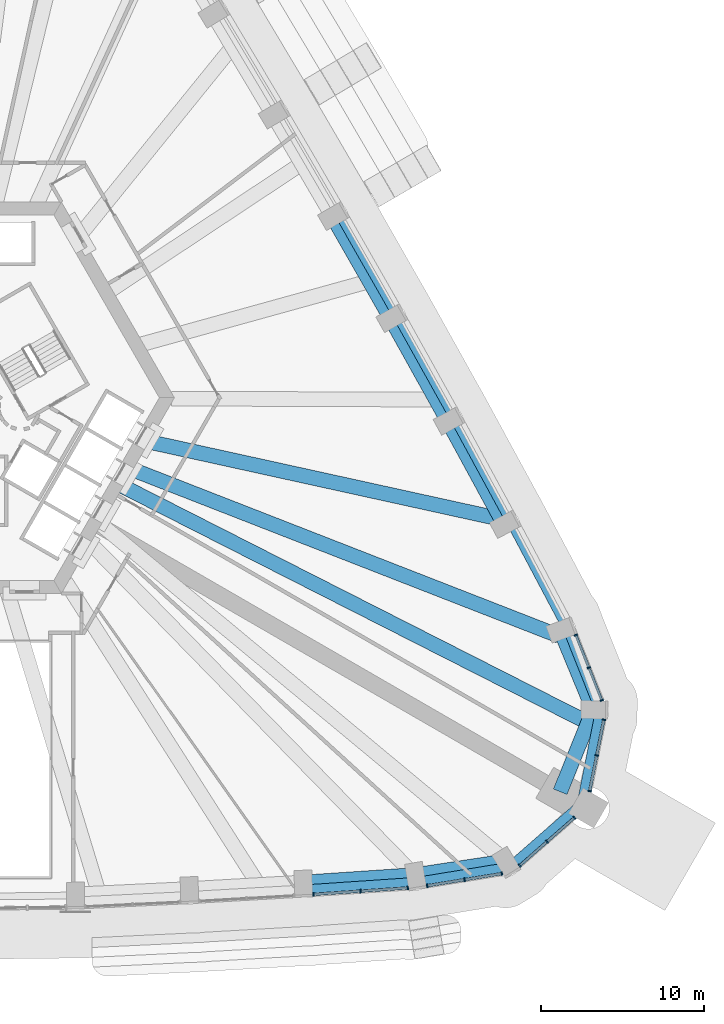
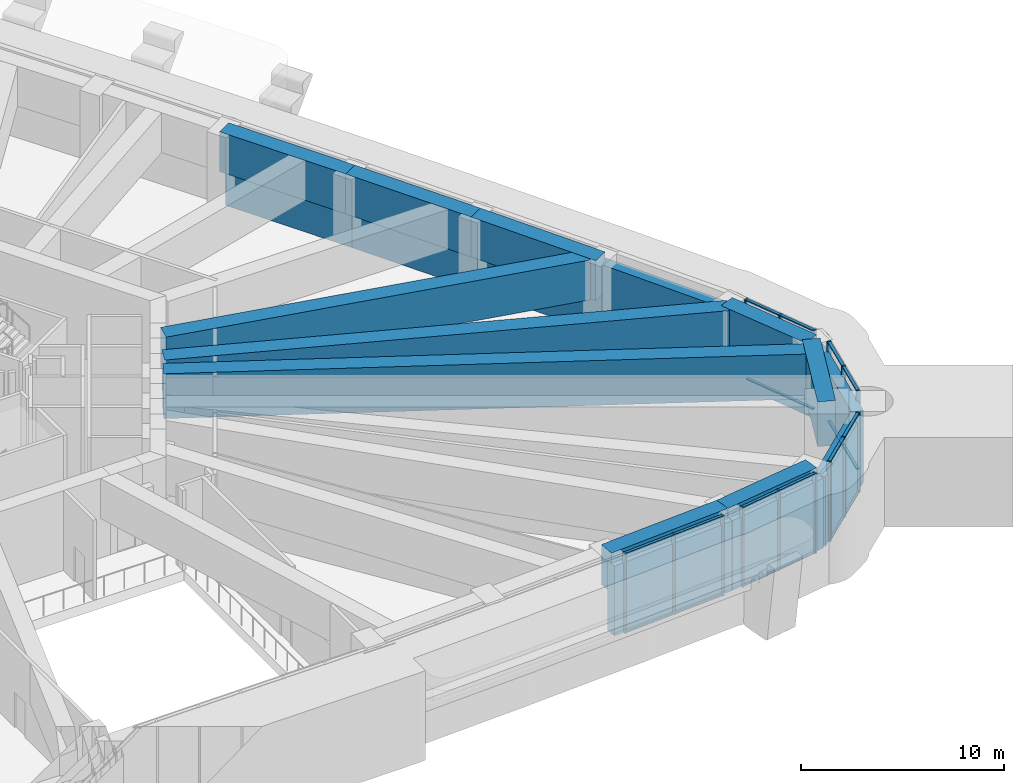
# One storey, part 6 of 22: 44 members, 10 beams, 5 elements without a shape of their own.
"""IFC4 building model written with IfcOpenShell, lengths in metres."""

from ifc_helpers import new_model, si_unit, direction, frame, origin, origin_2d, place, context, subcontext, project, spatial, rectangle, extrude, material, material_profile, profile_set, type_object, element, aggregate, save


model = new_model("IFC4")

# Units and contexts
model_context = context("Model", 3, precision=1e-05, world=origin(), true_north=direction((0.0, 1.0)))
body_context = subcontext(model_context, "Body", "Model", "MODEL_VIEW")
ifc_project = project(units=[si_unit("LENGTHUNIT", "METRE"), si_unit("AREAUNIT", "SQUARE_METRE"), si_unit("VOLUMEUNIT", "CUBIC_METRE"), si_unit("PLANEANGLEUNIT", "RADIAN"), si_unit("MASSUNIT", "GRAM", prefix="KILO")], contexts=[model_context])

# Site, building, storey
site_placement = place(None, origin())
site = spatial("IfcSite", under=ifc_project, at=site_placement, CompositionType="ELEMENT")
building_placement = place(site_placement, origin())
building = spatial("IfcBuilding", under=site, at=building_placement, Name="Entoto Arch Interchange Tower", CompositionType="ELEMENT")
storey_placement = place(building_placement, frame((0.0, 0.0, 132.800048828125)))
storey = spatial("IfcBuildingStorey", under=building, at=storey_placement, Name="L29", CompositionType="ELEMENT", Elevation=132.800048828125)

# Members
ifc_material_1 = material(Name="Concrete C60/75", Category="concrete")
ifc_material_profile_1 = material_profile(ifc_material_1, rectangle(XDim=0.60009765625, YDim=4.199951171875, at=origin_2d()))
ifc_profile_set_1 = profile_set([ifc_material_profile_1], Name="Concrete C60/75")
member_type_1 = type_object("IfcMemberType", Name="Belt member RC 600x4200 C60/75", PredefinedType="USERDEFINED", material=ifc_profile_set_1)
member_1_placement = place(storey_placement, frame((21.760986328125, -27.672119140625, 2.099853515625), z_axis=(0.99772398669, 0.067430307606, 0.0), x_axis=(-0.067430307606, 0.99772398669, 0.0)))
element("IfcMember", 1, at=member_1_placement, inside=storey, type_object=member_type_1, Name="Belt beam 07 L29", ObjectType="BELT BEAM", PredefinedType="USERDEFINED", context=body_context, shape_type="SweptSolid", body=[
    extrude(rectangle(XDim=0.60009765625, YDim=4.199951171875, at=origin_2d()), origin(), (0.0, 0.0, 1.0), 6.98779296875),
])
member_2_placement = place(storey_placement, frame((28.73291015625, -27.200927734375, 2.099853515625), z_axis=(0.987005556634, 0.160686126262, 0.0), x_axis=(-0.160686126262, 0.987005556634, 0.0)))
element("IfcMember", 2, at=member_2_placement, inside=storey, type_object=member_type_1, Name="Belt beam 08 L29", ObjectType="BELT BEAM", PredefinedType="USERDEFINED", context=body_context, shape_type="SweptSolid", body=[
    extrude(rectangle(XDim=0.60009765625, YDim=4.199951171875, at=origin_2d()), origin(), (0.0, 0.0, 1.0), 5.78125),
])
member_3_placement = place(storey_placement, frame((34.43896484375, -26.27197265625, 2.099853515625), z_axis=(0.752291928325, 0.658829913238, 0.0), x_axis=(-0.658829913238, 0.752291928325, 0.0)))
element("IfcMember", 3, at=member_3_placement, inside=storey, type_object=member_type_1, Name="Belt beam 09 L29", ObjectType="BELT BEAM", PredefinedType="USERDEFINED", context=body_context, shape_type="SweptSolid", body=[
    extrude(rectangle(XDim=0.60009765625, YDim=4.199951171875, at=origin_2d()), origin(), (0.0, 0.0, 1.0), 5.843505859375),
])
member_4_placement = place(storey_placement, frame((38.8349609375, -22.422119140625, 2.099853515625), z_axis=(0.194660969903, 0.980870586161, 0.0), x_axis=(-0.980870586161, 0.194660969903, 0.0)))
element("IfcMember", 4, at=member_4_placement, inside=storey, type_object=member_type_1, Name="Belt beam 10 L29", ObjectType="BELT BEAM", PredefinedType="USERDEFINED", context=body_context, shape_type="SweptSolid", body=[
    extrude(rectangle(XDim=0.60009765625, YDim=4.199951171875, at=origin_2d()), origin(), (0.0, 0.0, 1.0), 5.8408203125),
])
member_5_placement = place(storey_placement, frame((39.971923828125, -16.693115234375, 2.099853515625), z_axis=(-0.369253098372, 0.929328870391, 0.0), x_axis=(-0.929328870391, -0.369253098372, 0.0)))
element("IfcMember", 5, at=member_5_placement, inside=storey, type_object=member_type_1, Name="Belt beam 11 L29", ObjectType="BELT BEAM", PredefinedType="USERDEFINED", context=body_context, shape_type="SweptSolid", body=[
    extrude(rectangle(XDim=0.60009765625, YDim=4.199951171875, at=origin_2d()), origin(), (0.0, 0.0, 1.0), 5.4375),
])
member_6_placement = place(storey_placement, frame((37.964111328125, -11.639892578125, 2.099853515625), z_axis=(-0.46871842498, 0.883347631504, 0.0), x_axis=(-0.883347631504, -0.46871842498, 0.0)))
element("IfcMember", 6, at=member_6_placement, inside=storey, type_object=member_type_1, Name="Belt beam 12 L29", ObjectType="BELT BEAM", PredefinedType="USERDEFINED", context=body_context, shape_type="SweptSolid", body=[
    extrude(rectangle(XDim=0.60009765625, YDim=4.199951171875, at=origin_2d()), origin(), (0.0, 0.0, 1.0), 7.425048828125),
])
member_7_placement = place(storey_placement, frame((34.48388671875, -5.0810546875, 2.099853515625), z_axis=(-0.477742166511, 0.878500098086, 0.0), x_axis=(-0.878500098086, -0.477742166511, 0.0)))
element("IfcMember", 7, at=member_7_placement, inside=storey, type_object=member_type_1, Name="Belt beam 13 L29", ObjectType="BELT BEAM", PredefinedType="USERDEFINED", context=body_context, shape_type="SweptSolid", body=[
    extrude(rectangle(XDim=0.60009765625, YDim=4.199951171875, at=origin_2d()), origin(), (0.0, 0.0, 1.0), 7.21484375),
])
for number, where, z_axis, x_axis, name in (
    (8, (31.037109375, 1.257080078125, 2.099853515625), (-0.486760069325, 0.873535709007, 0.0), (-0.873535709007, -0.486760069325, 0.0), "Belt beam 14 L29"),
    (9, (27.52490234375, 7.56005859375, 2.099853515625), (-0.495442823375, 0.868640552108, 0.0), (-0.868640552108, -0.495442823375, 0.0), "Belt beam 15 L29"),
):
    element("IfcMember", number, at=place(storey_placement, frame(where, z_axis=z_axis, x_axis=x_axis)), inside=storey, type_object=member_type_1, Name=name, ObjectType="BELT BEAM", PredefinedType="USERDEFINED", context=body_context, shape_type="SweptSolid", body=[
        extrude(rectangle(XDim=0.60009765625, YDim=4.199951171875, at=origin_2d()), origin(), (0.0, 0.0, 1.0), 7.215576171875),
    ])

# Curtain wall, members
ifc_material_2 = material(Name="Aluminium, anodised", Category="aluminium")
curtain_wall_type = type_object("IfcCurtainWallType", Name="CURTAIN WALL SKY LOBBY", PredefinedType="NOTDEFINED", material=ifc_material_2)
curtain_wall_1_placement = place(storey_placement, origin())
curtain_wall_1 = element("IfcCurtainWall", 10, at=curtain_wall_1_placement, inside=storey, type_object=curtain_wall_type, Name="Sky Lobby glazing S-07 L29", PredefinedType="NOTDEFINED")
ifc_material_profile_2 = material_profile(ifc_material_2, rectangle(XDim=0.219970703125, YDim=0.090087890625, at=origin_2d()))
ifc_profile_set_2 = profile_set([ifc_material_profile_2], Name="Aluminium, anodised")
member_type_2 = type_object("IfcMemberType", Name="MULLION SKY LOBBY 90x220", PredefinedType="MULLION", material=ifc_profile_set_2)
member_8_placement = place(storey_placement, frame((22.3779296875, -27.950927734375, 0.0), z_axis=(0.0, 0.0, 1.0), x_axis=(-0.067386457793, 0.997726949273, 0.0)))
member_8 = element("IfcMember", 11, at=member_8_placement, type_object=member_type_2, Name="CWS mullion 1", PredefinedType="MULLION", context=body_context, shape_type="SweptSolid", body=[
    extrude(rectangle(XDim=0.219970703125, YDim=0.090087890625, at=origin_2d()), origin(), (0.0, 0.0, 1.0), 4.800048828125),
])
member_9_placement = place(storey_placement, frame((25.27197265625, -27.755615234375, 0.0), z_axis=(0.0, 0.0, 1.0), x_axis=(-0.067386457793, 0.997726949273, 0.0)))
member_9 = element("IfcMember", 12, at=member_9_placement, type_object=member_type_2, Name="CWS mullion 2", PredefinedType="MULLION", context=body_context, shape_type="SweptSolid", body=[
    extrude(rectangle(XDim=0.219970703125, YDim=0.090087890625, at=origin_2d()), origin(), (0.0, 0.0, 1.0), 4.800048828125),
])
member_10_placement = place(storey_placement, frame((28.166015625, -27.56005859375, 0.0), z_axis=(0.0, 0.0, 1.0), x_axis=(-0.067386457793, 0.997726949273, 0.0)))
member_10 = element("IfcMember", 13, at=member_10_placement, type_object=member_type_2, Name="CWS mullion 3", PredefinedType="MULLION", context=body_context, shape_type="SweptSolid", body=[
    extrude(rectangle(XDim=0.219970703125, YDim=0.090087890625, at=origin_2d()), origin(), (0.0, 0.0, 1.0), 4.800048828125),
])

curtain_wall_2_placement = place(storey_placement, origin())
curtain_wall_2 = element("IfcCurtainWall", 14, at=curtain_wall_2_placement, inside=storey, type_object=curtain_wall_type, Name="Sky Lobby glazing SE-01 L29", PredefinedType="NOTDEFINED")
member_11_placement = place(storey_placement, frame((29.349365234375, -27.42578125, 0.0), z_axis=(0.0, 0.0, 1.0), x_axis=(-0.160905227752, 0.986969861588, 0.0)))
member_11 = element("IfcMember", 15, at=member_11_placement, type_object=member_type_2, Name="CWS mullion 1", PredefinedType="MULLION", context=body_context, shape_type="SweptSolid", body=[
    extrude(rectangle(XDim=0.219970703125, YDim=0.090087890625, at=origin_2d()), origin(), (0.0, 0.0, 1.0), 4.800048828125),
])
member_12_placement = place(storey_placement, frame((31.64208984375, -27.052001953125, 0.0), z_axis=(0.0, 0.0, 1.0), x_axis=(-0.160905227752, 0.986969861588, 0.0)))
member_12 = element("IfcMember", 16, at=member_12_placement, type_object=member_type_2, Name="CWS mullion 2", PredefinedType="MULLION", context=body_context, shape_type="SweptSolid", body=[
    extrude(rectangle(XDim=0.219970703125, YDim=0.090087890625, at=origin_2d()), origin(), (0.0, 0.0, 1.0), 4.800048828125),
])
member_13_placement = place(storey_placement, frame((33.9345703125, -26.67822265625, 0.0), z_axis=(0.0, 0.0, 1.0), x_axis=(-0.160905227752, 0.986969861588, 0.0)))
member_13 = element("IfcMember", 17, at=member_13_placement, type_object=member_type_2, Name="CWS mullion 3", PredefinedType="MULLION", context=body_context, shape_type="SweptSolid", body=[
    extrude(rectangle(XDim=0.219970703125, YDim=0.090087890625, at=origin_2d()), origin(), (0.0, 0.0, 1.0), 4.800048828125),
])

curtain_wall_3_placement = place(storey_placement, origin())
curtain_wall_3 = element("IfcCurtainWall", 18, at=curtain_wall_3_placement, inside=storey, type_object=curtain_wall_type, Name="Sky Lobby glazing SE-02 L29", PredefinedType="NOTDEFINED")
member_14_placement = place(storey_placement, frame((35.02490234375, -26.184326171875, 0.0), z_axis=(0.0, 0.0, 1.0), x_axis=(-0.658846938346, 0.752277018014, 0.0)))
member_14 = element("IfcMember", 19, at=member_14_placement, type_object=member_type_2, Name="CWS mullion 1", PredefinedType="MULLION", context=body_context, shape_type="SweptSolid", body=[
    extrude(rectangle(XDim=0.219970703125, YDim=0.090087890625, at=origin_2d()), origin(), (0.0, 0.0, 1.0), 4.800048828125),
])
member_15_placement = place(storey_placement, frame((36.701904296875, -24.715576171875, 0.0), z_axis=(0.0, 0.0, 1.0), x_axis=(-0.658846938346, 0.752277018014, 0.0)))
member_15 = element("IfcMember", 20, at=member_15_placement, type_object=member_type_2, Name="CWS mullion 2", PredefinedType="MULLION", context=body_context, shape_type="SweptSolid", body=[
    extrude(rectangle(XDim=0.219970703125, YDim=0.090087890625, at=origin_2d()), origin(), (0.0, 0.0, 1.0), 4.800048828125),
])
member_16_placement = place(storey_placement, frame((38.379150390625, -23.24658203125, 0.0), z_axis=(0.0, 0.0, 1.0), x_axis=(-0.658846938346, 0.752277018014, 0.0)))
member_16 = element("IfcMember", 21, at=member_16_placement, type_object=member_type_2, Name="CWS mullion 3", PredefinedType="MULLION", context=body_context, shape_type="SweptSolid", body=[
    extrude(rectangle(XDim=0.219970703125, YDim=0.090087890625, at=origin_2d()), origin(), (0.0, 0.0, 1.0), 4.800048828125),
])

curtain_wall_4_placement = place(storey_placement, origin())
curtain_wall_4 = element("IfcCurtainWall", 22, at=curtain_wall_4_placement, inside=storey, type_object=curtain_wall_type, Name="Sky Lobby glazing SE-03 L29", PredefinedType="NOTDEFINED")
member_17_placement = place(storey_placement, frame((39.32177734375, -21.615966796875, 0.0), z_axis=(0.0, 0.0, 1.0), x_axis=(-0.980858629781, 0.194721206815, 0.0)))
member_17 = element("IfcMember", 23, at=member_17_placement, type_object=member_type_2, Name="CWS mullion 1", PredefinedType="MULLION", context=body_context, shape_type="SweptSolid", body=[
    extrude(rectangle(XDim=0.219970703125, YDim=0.090087890625, at=origin_2d()), origin(), (0.0, 0.0, 1.0), 4.800048828125),
])
member_18_placement = place(storey_placement, frame((39.756103515625, -19.428466796875, 0.0), z_axis=(0.0, 0.0, 1.0), x_axis=(-0.980858629781, 0.194721206815, 0.0)))
member_18 = element("IfcMember", 24, at=member_18_placement, type_object=member_type_2, Name="CWS mullion 2", PredefinedType="MULLION", context=body_context, shape_type="SweptSolid", body=[
    extrude(rectangle(XDim=0.219970703125, YDim=0.090087890625, at=origin_2d()), origin(), (0.0, 0.0, 1.0), 4.800048828125),
])
member_19_placement = place(storey_placement, frame((40.190185546875, -17.2412109375, 0.0), z_axis=(0.0, 0.0, 1.0), x_axis=(-0.980858629781, 0.194721206815, 0.0)))
member_19 = element("IfcMember", 25, at=member_19_placement, type_object=member_type_2, Name="CWS mullion 3", PredefinedType="MULLION", context=body_context, shape_type="SweptSolid", body=[
    extrude(rectangle(XDim=0.219970703125, YDim=0.090087890625, at=origin_2d()), origin(), (0.0, 0.0, 1.0), 4.800048828125),
])

curtain_wall_5_placement = place(storey_placement, origin())
curtain_wall_5 = element("IfcCurtainWall", 26, at=curtain_wall_5_placement, inside=storey, type_object=curtain_wall_type, Name="Sky Lobby glazing SE-04 L29", PredefinedType="NOTDEFINED")
member_20_placement = place(storey_placement, frame((40.060302734375, -16.05029296875, 0.0), z_axis=(0.0, 0.0, 1.0), x_axis=(-0.929337115271, -0.369232347148, 0.0)))
member_20 = element("IfcMember", 27, at=member_20_placement, type_object=member_type_2, Name="CWS mullion 1", PredefinedType="MULLION", context=body_context, shape_type="SweptSolid", body=[
    extrude(rectangle(XDim=0.219970703125, YDim=0.090087890625, at=origin_2d()), origin(), (0.0, 0.0, 1.0), 4.800048828125),
])
member_21_placement = place(storey_placement, frame((39.265380859375, -14.049560546875, 0.0), z_axis=(0.0, 0.0, 1.0), x_axis=(-0.929337115271, -0.369232347148, 0.0)))
member_21 = element("IfcMember", 28, at=member_21_placement, type_object=member_type_2, Name="CWS mullion 2", PredefinedType="MULLION", context=body_context, shape_type="SweptSolid", body=[
    extrude(rectangle(XDim=0.219970703125, YDim=0.090087890625, at=origin_2d()), origin(), (0.0, 0.0, 1.0), 4.800048828125),
])
member_22_placement = place(storey_placement, frame((38.470703125, -12.048828125, 0.0), z_axis=(0.0, 0.0, 1.0), x_axis=(-0.929337115271, -0.369232347148, 0.0)))
member_22 = element("IfcMember", 29, at=member_22_placement, type_object=member_type_2, Name="CWS mullion 3", PredefinedType="MULLION", context=body_context, shape_type="SweptSolid", body=[
    extrude(rectangle(XDim=0.219970703125, YDim=0.090087890625, at=origin_2d()), origin(), (0.0, 0.0, 1.0), 4.800048828125),
])

# Member
ifc_material_profile_3 = material_profile(ifc_material_2, rectangle(XDim=0.159912109375, YDim=0.070068359375, at=origin_2d()))
ifc_profile_set_3 = profile_set([ifc_material_profile_3], Name="Aluminium, anodised")
member_type_3 = type_object("IfcMemberType", Name="TRANSOM SKY LOBBY 70x160", PredefinedType="USERDEFINED", material=ifc_profile_set_3)
member_23_placement = place(storey_placement, frame((22.4228515625, -27.947998046875, 0.034912109375), z_axis=(0.997725571982, 0.067406846932, 0.0), x_axis=(-0.067406846932, 0.997725571982, 0.0)))
member_23 = element("IfcMember", 30, at=member_23_placement, type_object=member_type_3, Name="CWS transom 1.1", ObjectType="TRANSOM", PredefinedType="USERDEFINED", context=body_context, shape_type="SweptSolid", body=[
    extrude(rectangle(XDim=0.159912109375, YDim=0.070068359375, at=origin_2d()), origin(), (0.0, 0.0, 1.0), 2.810546875),
])

member_24_placement = place(storey_placement, frame((22.4228515625, -27.947998046875, 4.764892578125), z_axis=(0.997725571982, 0.067406846932, 0.0), x_axis=(-0.067406846932, 0.997725571982, 0.0)))
member_24 = element("IfcMember", 31, at=member_24_placement, type_object=member_type_3, Name="CWS transom 1.2", ObjectType="TRANSOM", PredefinedType="USERDEFINED", context=body_context, shape_type="SweptSolid", body=[
    extrude(rectangle(XDim=0.159912109375, YDim=0.070068359375, at=origin_2d()), origin(), (0.0, 0.0, 1.0), 2.810546875),
])

member_25_placement = place(storey_placement, frame((25.31689453125, -27.75244140625, 0.034912109375), z_axis=(0.997725571982, 0.067406846932, 0.0), x_axis=(-0.067406846932, 0.997725571982, 0.0)))
member_25 = element("IfcMember", 32, at=member_25_placement, type_object=member_type_3, Name="CWS transom 2.1", ObjectType="TRANSOM", PredefinedType="USERDEFINED", context=body_context, shape_type="SweptSolid", body=[
    extrude(rectangle(XDim=0.159912109375, YDim=0.070068359375, at=origin_2d()), origin(), (0.0, 0.0, 1.0), 2.810546875),
])

member_26_placement = place(storey_placement, frame((25.31689453125, -27.75244140625, 4.764892578125), z_axis=(0.997725571982, 0.067406846932, 0.0), x_axis=(-0.067406846932, 0.997725571982, 0.0)))
member_26 = element("IfcMember", 33, at=member_26_placement, type_object=member_type_3, Name="CWS transom 2.2", ObjectType="TRANSOM", PredefinedType="USERDEFINED", context=body_context, shape_type="SweptSolid", body=[
    extrude(rectangle(XDim=0.159912109375, YDim=0.070068359375, at=origin_2d()), origin(), (0.0, 0.0, 1.0), 2.810546875),
])

aggregate(curtain_wall_1, [member_8, member_9, member_10, member_23, member_24, member_25, member_26])

member_27_placement = place(storey_placement, frame((29.393798828125, -27.41845703125, 0.034912109375), z_axis=(0.986981449615, 0.160834132312, 0.0), x_axis=(-0.160834132312, 0.986981449615, 0.0)))
member_27 = element("IfcMember", 34, at=member_27_placement, type_object=member_type_3, Name="CWS transom 1.1", ObjectType="TRANSOM", PredefinedType="USERDEFINED", context=body_context, shape_type="SweptSolid", body=[
    extrude(rectangle(XDim=0.159912109375, YDim=0.070068359375, at=origin_2d()), origin(), (0.0, 0.0, 1.0), 2.23291015625),
])

member_28_placement = place(storey_placement, frame((29.393798828125, -27.41845703125, 4.764892578125), z_axis=(0.986981449615, 0.160834132312, 0.0), x_axis=(-0.160834132312, 0.986981449615, 0.0)))
member_28 = element("IfcMember", 35, at=member_28_placement, type_object=member_type_3, Name="CWS transom 1.2", ObjectType="TRANSOM", PredefinedType="USERDEFINED", context=body_context, shape_type="SweptSolid", body=[
    extrude(rectangle(XDim=0.159912109375, YDim=0.070068359375, at=origin_2d()), origin(), (0.0, 0.0, 1.0), 2.23291015625),
])

member_29_placement = place(storey_placement, frame((31.6865234375, -27.044677734375, 0.034912109375), z_axis=(0.986978620879, 0.160851490285, 0.0), x_axis=(-0.160851490285, 0.986978620879, 0.0)))
member_29 = element("IfcMember", 36, at=member_29_placement, type_object=member_type_3, Name="CWS transom 2.1", ObjectType="TRANSOM", PredefinedType="USERDEFINED", context=body_context, shape_type="SweptSolid", body=[
    extrude(rectangle(XDim=0.159912109375, YDim=0.070068359375, at=origin_2d()), origin(), (0.0, 0.0, 1.0), 2.232666015625),
])

member_30_placement = place(storey_placement, frame((31.6865234375, -27.044677734375, 4.764892578125), z_axis=(0.986978620879, 0.160851490285, 0.0), x_axis=(-0.160851490285, 0.986978620879, 0.0)))
member_30 = element("IfcMember", 37, at=member_30_placement, type_object=member_type_3, Name="CWS transom 2.2", ObjectType="TRANSOM", PredefinedType="USERDEFINED", context=body_context, shape_type="SweptSolid", body=[
    extrude(rectangle(XDim=0.159912109375, YDim=0.070068359375, at=origin_2d()), origin(), (0.0, 0.0, 1.0), 2.232666015625),
])

aggregate(curtain_wall_2, [member_11, member_12, member_13, member_27, member_28, member_29, member_30])

member_31_placement = place(storey_placement, frame((35.05859375, -26.15478515625, 0.034912109375), z_axis=(0.752286818191, 0.658835748253, 0.0), x_axis=(-0.658835748253, 0.752286818191, 0.0)))
member_31 = element("IfcMember", 38, at=member_31_placement, type_object=member_type_3, Name="CWS transom 1.1", ObjectType="TRANSOM", PredefinedType="USERDEFINED", context=body_context, shape_type="SweptSolid", body=[
    extrude(rectangle(XDim=0.159912109375, YDim=0.070068359375, at=origin_2d()), origin(), (0.0, 0.0, 1.0), 2.1396484375),
])

member_32_placement = place(storey_placement, frame((35.05859375, -26.15478515625, 4.764892578125), z_axis=(0.752286818191, 0.658835748253, 0.0), x_axis=(-0.658835748253, 0.752286818191, 0.0)))
member_32 = element("IfcMember", 39, at=member_32_placement, type_object=member_type_3, Name="CWS transom 1.2", ObjectType="TRANSOM", PredefinedType="USERDEFINED", context=body_context, shape_type="SweptSolid", body=[
    extrude(rectangle(XDim=0.159912109375, YDim=0.070068359375, at=origin_2d()), origin(), (0.0, 0.0, 1.0), 2.1396484375),
])

member_33_placement = place(storey_placement, frame((36.73583984375, -24.685791015625, 0.034912109375), z_axis=(0.75229384453, 0.658827725193, 0.0), x_axis=(-0.658827725193, 0.75229384453, 0.0)))
member_33 = element("IfcMember", 40, at=member_33_placement, type_object=member_type_3, Name="CWS transom 2.1", ObjectType="TRANSOM", PredefinedType="USERDEFINED", context=body_context, shape_type="SweptSolid", body=[
    extrude(rectangle(XDim=0.159912109375, YDim=0.070068359375, at=origin_2d()), origin(), (0.0, 0.0, 1.0), 2.139404296875),
])

member_34_placement = place(storey_placement, frame((36.73583984375, -24.685791015625, 4.764892578125), z_axis=(0.75229384453, 0.658827725193, 0.0), x_axis=(-0.658827725193, 0.75229384453, 0.0)))
member_34 = element("IfcMember", 41, at=member_34_placement, type_object=member_type_3, Name="CWS transom 2.2", ObjectType="TRANSOM", PredefinedType="USERDEFINED", context=body_context, shape_type="SweptSolid", body=[
    extrude(rectangle(XDim=0.159912109375, YDim=0.070068359375, at=origin_2d()), origin(), (0.0, 0.0, 1.0), 2.139404296875),
])

aggregate(curtain_wall_3, [member_14, member_15, member_16, member_31, member_32, member_33, member_34])

member_35_placement = place(storey_placement, frame((39.33056640625, -21.57177734375, 0.034912109375), z_axis=(0.194733822488, 0.980856125219, 0.0), x_axis=(-0.980856125219, 0.194733822488, 0.0)))
member_35 = element("IfcMember", 42, at=member_35_placement, type_object=member_type_3, Name="CWS transom 1.1", ObjectType="TRANSOM", PredefinedType="USERDEFINED", context=body_context, shape_type="SweptSolid", body=[
    extrude(rectangle(XDim=0.159912109375, YDim=0.070068359375, at=origin_2d()), origin(), (0.0, 0.0, 1.0), 2.14013671875),
])

member_36_placement = place(storey_placement, frame((39.33056640625, -21.57177734375, 4.764892578125), z_axis=(0.194733822488, 0.980856125219, 0.0), x_axis=(-0.980856125219, 0.194733822488, 0.0)))
member_36 = element("IfcMember", 43, at=member_36_placement, type_object=member_type_3, Name="CWS transom 1.2", ObjectType="TRANSOM", PredefinedType="USERDEFINED", context=body_context, shape_type="SweptSolid", body=[
    extrude(rectangle(XDim=0.159912109375, YDim=0.070068359375, at=origin_2d()), origin(), (0.0, 0.0, 1.0), 2.14013671875),
])

member_37_placement = place(storey_placement, frame((39.7646484375, -19.38427734375, 0.034912109375), z_axis=(0.194733822488, 0.980856125219, 0.0), x_axis=(-0.980856125219, 0.194733822488, 0.0)))
member_37 = element("IfcMember", 44, at=member_37_placement, type_object=member_type_3, Name="CWS transom 2.1", ObjectType="TRANSOM", PredefinedType="USERDEFINED", context=body_context, shape_type="SweptSolid", body=[
    extrude(rectangle(XDim=0.159912109375, YDim=0.070068359375, at=origin_2d()), origin(), (0.0, 0.0, 1.0), 2.14013671875),
])

member_38_placement = place(storey_placement, frame((39.7646484375, -19.38427734375, 4.764892578125), z_axis=(0.194733822488, 0.980856125219, 0.0), x_axis=(-0.980856125219, 0.194733822488, 0.0)))
member_38 = element("IfcMember", 45, at=member_38_placement, type_object=member_type_3, Name="CWS transom 2.2", ObjectType="TRANSOM", PredefinedType="USERDEFINED", context=body_context, shape_type="SweptSolid", body=[
    extrude(rectangle(XDim=0.159912109375, YDim=0.070068359375, at=origin_2d()), origin(), (0.0, 0.0, 1.0), 2.14013671875),
])

aggregate(curtain_wall_4, [member_17, member_18, member_19, member_35, member_36, member_37, member_38])

member_39_placement = place(storey_placement, frame((40.043701171875, -16.00830078125, 0.034912109375), z_axis=(-0.369165256341, 0.929363768129, 0.0), x_axis=(-0.929363768129, -0.369165256341, 0.0)))
member_39 = element("IfcMember", 46, at=member_39_placement, type_object=member_type_3, Name="CWS transom 1.1", ObjectType="TRANSOM", PredefinedType="USERDEFINED", context=body_context, shape_type="SweptSolid", body=[
    extrude(rectangle(XDim=0.159912109375, YDim=0.070068359375, at=origin_2d()), origin(), (0.0, 0.0, 1.0), 2.062744140625),
])

member_40_placement = place(storey_placement, frame((40.043701171875, -16.00830078125, 4.764892578125), z_axis=(-0.369165256341, 0.929363768129, 0.0), x_axis=(-0.929363768129, -0.369165256341, 0.0)))
member_40 = element("IfcMember", 47, at=member_40_placement, type_object=member_type_3, Name="CWS transom 1.2", ObjectType="TRANSOM", PredefinedType="USERDEFINED", context=body_context, shape_type="SweptSolid", body=[
    extrude(rectangle(XDim=0.159912109375, YDim=0.070068359375, at=origin_2d()), origin(), (0.0, 0.0, 1.0), 2.062744140625),
])

member_41_placement = place(storey_placement, frame((39.248779296875, -14.007568359375, 0.034912109375), z_axis=(-0.369165256341, 0.929363768129, 0.0), x_axis=(-0.929363768129, -0.369165256341, 0.0)))
member_41 = element("IfcMember", 48, at=member_41_placement, type_object=member_type_3, Name="CWS transom 2.1", ObjectType="TRANSOM", PredefinedType="USERDEFINED", context=body_context, shape_type="SweptSolid", body=[
    extrude(rectangle(XDim=0.159912109375, YDim=0.070068359375, at=origin_2d()), origin(), (0.0, 0.0, 1.0), 2.062744140625),
])

member_42_placement = place(storey_placement, frame((39.248779296875, -14.007568359375, 4.764892578125), z_axis=(-0.369165256341, 0.929363768129, 0.0), x_axis=(-0.929363768129, -0.369165256341, 0.0)))
member_42 = element("IfcMember", 49, at=member_42_placement, type_object=member_type_3, Name="CWS transom 2.2", ObjectType="TRANSOM", PredefinedType="USERDEFINED", context=body_context, shape_type="SweptSolid", body=[
    extrude(rectangle(XDim=0.159912109375, YDim=0.070068359375, at=origin_2d()), origin(), (0.0, 0.0, 1.0), 2.062744140625),
])

aggregate(curtain_wall_5, [member_20, member_21, member_22, member_39, member_40, member_41, member_42])

# Beams
ifc_material_profile_4 = material_profile(ifc_material_1, rectangle(XDim=0.89990234375, YDim=2.39990234375, at=origin_2d()))
ifc_profile_set_4 = profile_set([ifc_material_profile_4], Name="Concrete C60/75")
beam_type_1 = type_object("IfcBeamType", Name="Transfer beam RC 900x2400 C60/75", PredefinedType="BEAM", material=ifc_profile_set_4)
beam_1_placement = place(storey_placement, frame((21.757080078125, -27.217041015625, 3.599853515625), z_axis=(0.997770083625, 0.066744739297, 0.0), x_axis=(-0.066744739297, 0.997770083625, 0.0)))
element("IfcBeam", 50, at=beam_1_placement, inside=storey, type_object=beam_type_1, Name="Transfer girder S06 L29", PredefinedType="BEAM", context=body_context, shape_type="SweptSolid", body=[
    extrude(rectangle(XDim=0.89990234375, YDim=2.39990234375, at=origin_2d()), origin(), (0.0, 0.0, 1.0), 6.891357421875),
])
beam_2_placement = place(storey_placement, frame((11.1689453125, -1.85693359375, 3.599853515625), z_axis=(0.931621683937, -0.363429550283, 0.0), x_axis=(0.363429550283, 0.931621683937, 0.0)))
element("IfcBeam", 51, at=beam_2_placement, inside=storey, type_object=beam_type_1, Name="Transfer beam NE01 L29", PredefinedType="BEAM", context=body_context, shape_type="SweptSolid", body=[
    extrude(rectangle(XDim=0.89990234375, YDim=2.39990234375, at=origin_2d()), origin(), (0.0, 0.0, 1.0), 28.1875),
])
beam_3_placement = place(storey_placement, frame((39.533935546875, -16.6298828125, 3.599853515625), z_axis=(-0.381773939512, 0.924255732527, 0.0), x_axis=(-0.924255732527, -0.381773939512, 0.0)))
element("IfcBeam", 52, at=beam_3_placement, inside=storey, type_object=beam_type_1, Name="Transfer girder NE01 L29", PredefinedType="BEAM", context=body_context, shape_type="SweptSolid", body=[
    extrude(rectangle(XDim=0.89990234375, YDim=2.39990234375, at=origin_2d()), origin(), (0.0, 0.0, 1.0), 5.262451171875),
])
beam_4_placement = place(storey_placement, frame((12.14990234375, -0.1689453125, 3.599853515625), z_axis=(0.976719805572, -0.214519046716, 0.0), x_axis=(0.214519046716, 0.976719805572, 0.0)))
element("IfcBeam", 53, at=beam_4_placement, inside=storey, type_object=beam_type_1, Name="Transfer beam NE02 L29", PredefinedType="BEAM", context=body_context, shape_type="SweptSolid", body=[
    extrude(rectangle(XDim=0.89990234375, YDim=2.39990234375, at=origin_2d()), origin(), (0.0, 0.0, 1.0), 21.96044921875),
])
beam_5_placement = place(storey_placement, frame((34.0810546875, -5.2919921875, 3.599853515625), z_axis=(-0.477810008446, 0.878463201181, 0.0), x_axis=(-0.878463201181, -0.477810008446, 0.0)))
element("IfcBeam", 54, at=beam_5_placement, inside=storey, type_object=beam_type_1, Name="Transfer girder NE02 L29", PredefinedType="BEAM", context=body_context, shape_type="SweptSolid", body=[
    extrude(rectangle(XDim=0.89990234375, YDim=2.39990234375, at=origin_2d()), origin(), (0.0, 0.0, 1.0), 7.2080078125),
])
beam_6_placement = place(storey_placement, frame((30.636962890625, 1.0400390625, 3.599853515625), z_axis=(-0.486726523614, 0.873554400831, 0.0), x_axis=(-0.873554400831, -0.486726523614, 0.0)))
element("IfcBeam", 55, at=beam_6_placement, inside=storey, type_object=beam_type_1, Name="Transfer girder NE03 L29", PredefinedType="BEAM", context=body_context, shape_type="SweptSolid", body=[
    extrude(rectangle(XDim=0.89990234375, YDim=2.39990234375, at=origin_2d()), origin(), (0.0, 0.0, 1.0), 7.20947265625),
])
beam_7_placement = place(storey_placement, frame((27.1279296875, 7.337890625, 3.599853515625), z_axis=(-0.495471400772, 0.868624251916, 0.0), x_axis=(-0.868624251916, -0.495471400772, 0.0)))
element("IfcBeam", 56, at=beam_7_placement, inside=storey, type_object=beam_type_1, Name="Transfer girder NE04 L29", PredefinedType="BEAM", context=body_context, shape_type="SweptSolid", body=[
    extrude(rectangle(XDim=0.89990234375, YDim=2.39990234375, at=origin_2d()), origin(), (0.0, 0.0, 1.0), 7.209228515625),
])
ifc_material_profile_5 = material_profile(ifc_material_1, rectangle(XDim=0.89990234375, YDim=2.699951171875, at=origin_2d()))
ifc_profile_set_5 = profile_set([ifc_material_profile_5], Name="Concrete C60/75")
beam_type_2 = type_object("IfcBeamType", Name="Transfer beam RC 900x2700 C60/75", PredefinedType="BEAM", material=ifc_profile_set_5)
beam_8_placement = place(storey_placement, frame((28.633056640625, -26.757080078125, 3.449951171875), z_axis=(0.988812199468, 0.149165794283, 0.0), x_axis=(-0.149165794283, 0.988812199468, 0.0)))
element("IfcBeam", 57, at=beam_8_placement, inside=storey, type_object=beam_type_2, Name="Transfer girder SE1 L29", PredefinedType="BEAM", context=body_context, shape_type="SweptSolid", body=[
    extrude(rectangle(XDim=0.89990234375, YDim=2.699951171875, at=origin_2d()), origin(), (0.0, 0.0, 1.0), 5.59765625),
])
beam_9_placement = place(storey_placement, frame((10.580078125, -2.875, 3.449951171875), z_axis=(0.891568590019, -0.452885691198, 0.0), x_axis=(0.452885691198, 0.891568590019, 0.0)))
element("IfcBeam", 58, at=beam_9_placement, inside=storey, type_object=beam_type_2, Name="Transfer beam SE3 L29", PredefinedType="BEAM", context=body_context, shape_type="SweptSolid", body=[
    extrude(rectangle(XDim=0.89990234375, YDim=2.699951171875, at=origin_2d()), origin(), (0.0, 0.0, 1.0), 31.81787109375),
])
beam_10_placement = place(storey_placement, frame((37.510009765625, -21.656982421875, 3.449951171875), z_axis=(0.373471402091, 0.927641693662, 0.0), x_axis=(-0.927641693662, 0.373471402091, 0.0)))
element("IfcBeam", 59, at=beam_10_placement, inside=storey, type_object=beam_type_2, Name="Transfer girder SE3 L29", PredefinedType="BEAM", context=body_context, shape_type="SweptSolid", body=[
    extrude(rectangle(XDim=0.89990234375, YDim=2.699951171875, at=origin_2d()), origin(), (0.0, 0.0, 1.0), 5.419189453125),
])

save(model, "model.ifc")
